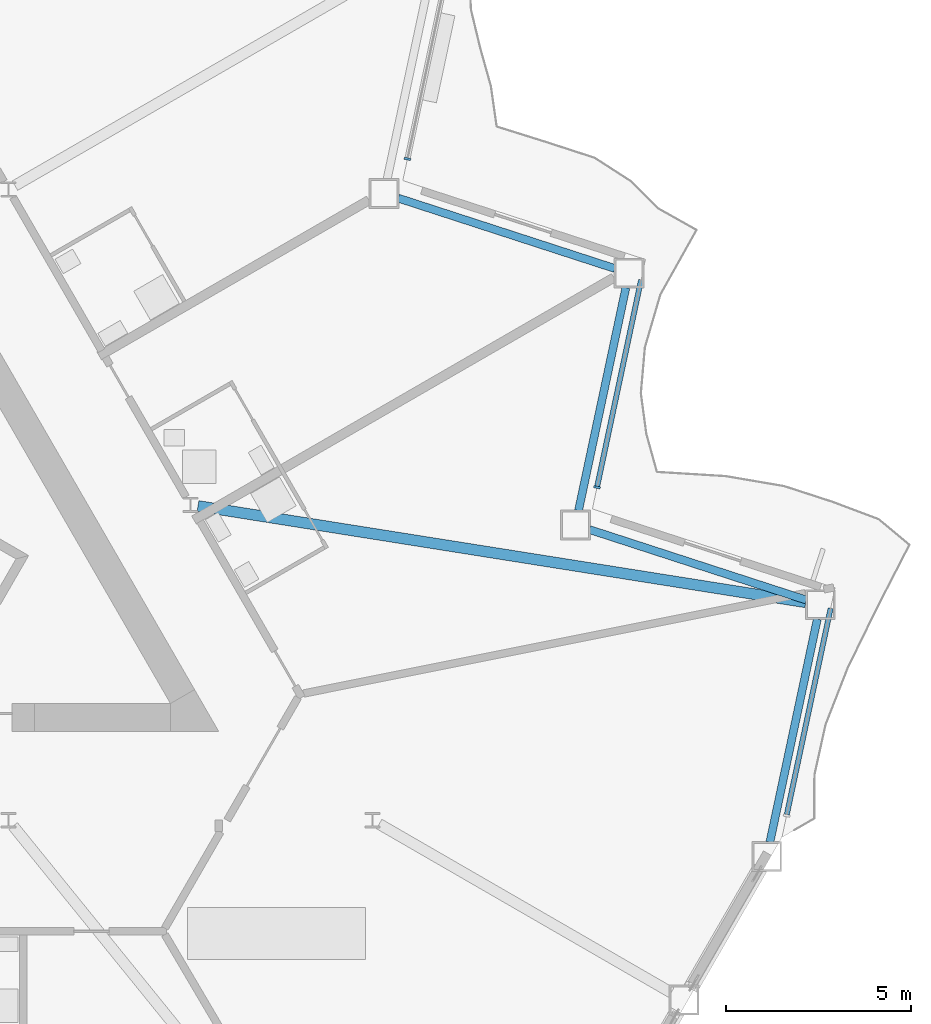
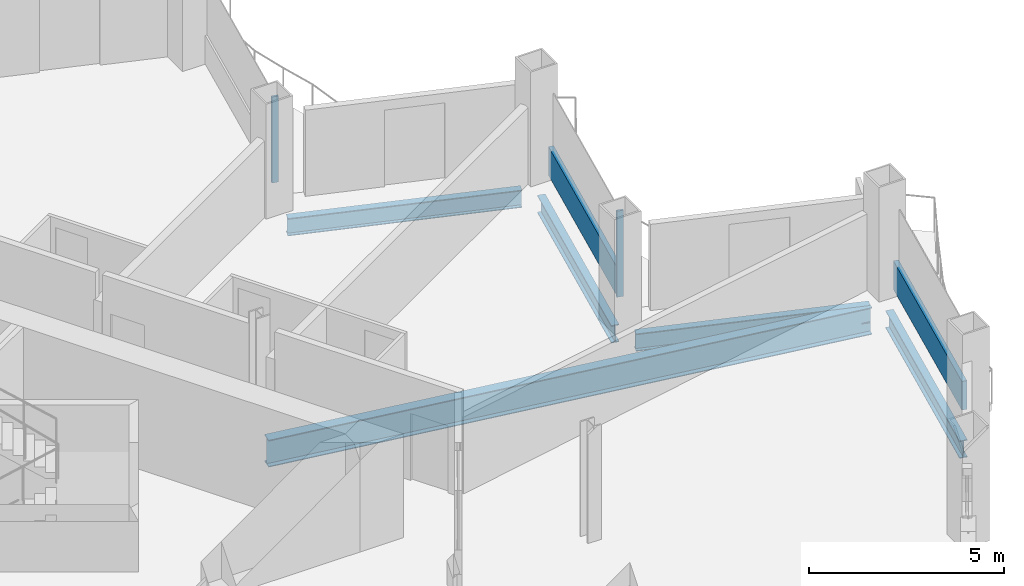
# One storey, part 6 of 23: 5 beams, 4 members, 3 elements without a shape of their own.
"""IFC4 building model written with IfcOpenShell, lengths in metres."""

from ifc_helpers import new_model, si_unit, direction, frame, origin, origin_2d, place, context, subcontext, project, spatial, rectangle, i_section, extrude, material, layer, layer_set, material_profile, profile_set, type_object, element, aggregate, save


model = new_model("IFC4")

# Units and contexts
model_context = context("Model", 3, precision=1e-05, world=origin(), true_north=direction((0.0, 1.0)))
body_context = subcontext(model_context, "Body", "Model", "MODEL_VIEW")
ifc_project = project(units=[si_unit("LENGTHUNIT", "METRE"), si_unit("AREAUNIT", "SQUARE_METRE"), si_unit("VOLUMEUNIT", "CUBIC_METRE"), si_unit("PLANEANGLEUNIT", "RADIAN"), si_unit("MASSUNIT", "GRAM", prefix="KILO")], contexts=[model_context])

# Site, building, storey
site_placement = place(None, origin())
site = spatial("IfcSite", under=ifc_project, at=site_placement, CompositionType="ELEMENT")
building_placement = place(site_placement, origin())
building = spatial("IfcBuilding", under=site, at=building_placement, Name="Cormorant Prow Tower", CompositionType="ELEMENT")
storey_placement = place(building_placement, frame((0.0, 0.0, 172.800048828125)))
storey = spatial("IfcBuildingStorey", under=building, at=storey_placement, Name="L36", CompositionType="ELEMENT", Elevation=172.800048828125)

# Curtain wall, member
ifc_material_1 = material(Name="Aluminium 6063-T6", Category="aluminium")
ifc_layer = layer(ifc_material_1, 0.179931640625)
ifc_layer_set = layer_set([ifc_layer], Name="Aluminium 6063-T6")
curtain_wall_type = type_object("IfcCurtainWallType", Name="Hotel unitised curtain wall 180", PredefinedType="NOTDEFINED", material=ifc_layer_set)
curtain_wall_1_placement = place(storey_placement, origin())
curtain_wall_1 = element("IfcCurtainWall", 1, at=curtain_wall_1_placement, inside=storey, type_object=curtain_wall_type, Name="Hotel curtain wall ENE02", PredefinedType="NOTDEFINED")
ifc_material_2 = material(Name="Aluminium 6063-T6", Category="aluminium")
ifc_material_profile_1 = material_profile(ifc_material_2, rectangle(XDim=0.179931640625, YDim=0.06005859375, at=origin_2d()), Name="Hotel mullion 60x180")
ifc_profile_set_1 = profile_set([ifc_material_profile_1], Name="Aluminium 6063-T6")
member_type_1 = type_object("IfcMemberType", Name="Hotel mullion 60x180", PredefinedType="MULLION", material=ifc_profile_set_1)
member_1_placement = place(storey_placement, frame((25.711181640625, -2.36376953125, 0.0), z_axis=(0.0, 0.0, 1.0), x_axis=(-0.97814762227, 0.207911589496, 0.0)))
member_1 = element("IfcMember", 2, at=member_1_placement, type_object=member_type_1, Name="Hotel mullion ENE02", PredefinedType="MULLION", context=body_context, shape_type="SweptSolid", body=[
    extrude(rectangle(XDim=0.179931640625, YDim=0.06005859375, at=origin_2d()), origin(), (0.0, 0.0, 1.0), 2.700927734375),
])

curtain_wall_2_placement = place(storey_placement, origin())
curtain_wall_2 = element("IfcCurtainWall", 3, at=curtain_wall_2_placement, inside=storey, type_object=curtain_wall_type, Name="Hotel curtain wall ENE04", PredefinedType="NOTDEFINED")
member_2_placement = place(storey_placement, frame((20.595458984375, 6.496826171875, 0.0), z_axis=(0.0, 0.0, 1.0), x_axis=(-0.97814759901, 0.207911698927, 0.0)))
member_2 = element("IfcMember", 4, at=member_2_placement, type_object=member_type_1, Name="Hotel mullion ENE04", PredefinedType="MULLION", context=body_context, shape_type="SweptSolid", body=[
    extrude(rectangle(XDim=0.179931640625, YDim=0.06005859375, at=origin_2d()), origin(), (0.0, 0.0, 1.0), 2.700927734375),
])
aggregate(curtain_wall_2, [member_2])

curtain_wall_3_placement = place(storey_placement, origin())
curtain_wall_3 = element("IfcCurtainWall", 5, at=curtain_wall_3_placement, inside=storey, type_object=curtain_wall_type, Name="Hotel curtain wall ENE00", PredefinedType="NOTDEFINED")
ifc_material_3 = material(Name="Terracotta", Category="masonry")
ifc_material_profile_2 = material_profile(ifc_material_3, rectangle(XDim=0.139892578125, YDim=0.89990234375, at=origin_2d()), Name="Hotel terracotta spandrel rail 140x900")
ifc_profile_set_2 = profile_set([ifc_material_profile_2], Name="Terracotta")
member_type_2 = type_object("IfcMemberType", Name="Hotel terracotta spandrel rail 140x900", PredefinedType="USERDEFINED", material=ifc_profile_set_2)
member_3_placement = place(storey_placement, frame((30.8330078125, -11.195068359375, 0.449951171875), z_axis=(0.207922412597, 0.978145321688, 0.0), x_axis=(-0.978145321688, 0.207922412597, 0.0)))
member_3 = element("IfcMember", 6, at=member_3_placement, type_object=member_type_2, Name="Hotel spandrel rail ENE00", ObjectType="TRANSOM", PredefinedType="USERDEFINED", context=body_context, shape_type="SweptSolid", body=[
    extrude(rectangle(XDim=0.139892578125, YDim=0.89990234375, at=origin_2d()), origin(), (0.0, 0.0, 1.0), 5.687744140625),
])
aggregate(curtain_wall_3, [member_3])

# Member
member_4_placement = place(storey_placement, frame((25.71728515625, -2.33447265625, 0.449951171875), z_axis=(0.207922412597, 0.978145321688, 0.0), x_axis=(-0.978145321688, 0.207922412597, 0.0)))
member_4 = element("IfcMember", 7, at=member_4_placement, type_object=member_type_2, Name="Hotel spandrel rail ENE02", ObjectType="TRANSOM", PredefinedType="USERDEFINED", context=body_context, shape_type="SweptSolid", body=[
    extrude(rectangle(XDim=0.139892578125, YDim=0.89990234375, at=origin_2d()), origin(), (0.0, 0.0, 1.0), 5.687744140625),
])

aggregate(curtain_wall_1, [member_1, member_4])

# Beams
ifc_material_4 = material(Name="Structural steel ASTM A992 Gr 50", Category="steel")
ifc_material_profile_3 = material_profile(ifc_material_4, i_section(OverallWidth=0.29296875, OverallDepth=0.845703125, WebThickness=0.015380859375, FlangeThickness=0.0244140625, at=origin_2d()), Name="W33x141")
ifc_profile_set_3 = profile_set([ifc_material_profile_3], Name="Structural steel ASTM A992 Gr 50")
beam_type_1 = type_object("IfcBeamType", Name="Radial floor beam W33x141", PredefinedType="BEAM", material=ifc_profile_set_3)
beam_1_placement = place(storey_placement, frame((14.94384765625, -2.869140625, -0.77294921875), z_axis=(0.987678058302, -0.156499371084, 0.0), x_axis=(0.156499371084, 0.987678058302, 0.0)))
element("IfcBeam", 8, at=beam_1_placement, inside=storey, type_object=beam_type_1, Name="Radial floor beam FB2 10 L36", PredefinedType="BEAM", context=body_context, shape_type="SweptSolid", body=[
    extrude(i_section(OverallWidth=0.29296875, OverallDepth=0.845703125, WebThickness=0.015380859375, FlangeThickness=0.0244140625, at=origin_2d()), origin(), (0.0, 0.0, 1.0), 16.604736328125),
])
ifc_material_5 = material(Name="Structural steel ASTM A992 Gr 50", Category="steel")
ifc_material_profile_4 = material_profile(ifc_material_5, i_section(OverallWidth=0.2138671875, OverallDepth=0.549072265625, WebThickness=0.0146484375, FlangeThickness=0.023681640625, at=origin_2d()), Name="W21x93")
ifc_profile_set_4 = profile_set([ifc_material_profile_4], Name="Structural steel ASTM A992 Gr 50")
beam_type_2 = type_object("IfcBeamType", Name="Spandrel beam W21x93", PredefinedType="SPANDREL", material=ifc_profile_set_4)
beam_2_placement = place(storey_placement, frame((30.377197265625, -11.93701171875, -0.62451171875), z_axis=(0.207904811195, 0.978149063018, 0.0), x_axis=(-0.978149063018, 0.207904811195, 0.0)))
element("IfcBeam", 9, at=beam_2_placement, inside=storey, type_object=beam_type_2, Name="Spandrel beam SB2 ENE00-ENE01 L36", PredefinedType="SPANDREL", context=body_context, shape_type="SweptSolid", body=[
    extrude(i_section(OverallWidth=0.2138671875, OverallDepth=0.549072265625, WebThickness=0.0146484375, FlangeThickness=0.023681640625, at=origin_2d()), origin(), (0.0, 0.0, 1.0), 6.149658203125),
])
beam_3_placement = place(storey_placement, frame((31.358642578125, -5.40673828125, -0.62451171875), z_axis=(-0.951057696564, 0.309013361859, 0.0), x_axis=(-0.309013361859, -0.951057696564, 0.0)))
element("IfcBeam", 10, at=beam_3_placement, inside=storey, type_object=beam_type_2, Name="Spandrel beam SB2 ENE01-ENE02 L36", PredefinedType="SPANDREL", context=body_context, shape_type="SweptSolid", body=[
    extrude(i_section(OverallWidth=0.2138671875, OverallDepth=0.549072265625, WebThickness=0.0146484375, FlangeThickness=0.023681640625, at=origin_2d()), origin(), (0.0, 0.0, 1.0), 6.14990234375),
])
beam_4_placement = place(storey_placement, frame((25.21240234375, -2.991455078125, -0.62451171875), z_axis=(0.207904811195, 0.978149063018, 0.0), x_axis=(-0.978149063018, 0.207904811195, 0.0)))
element("IfcBeam", 11, at=beam_4_placement, inside=storey, type_object=beam_type_2, Name="Spandrel beam SB2 ENE02-ENE03 L36", PredefinedType="SPANDREL", context=body_context, shape_type="SweptSolid", body=[
    extrude(i_section(OverallWidth=0.2138671875, OverallDepth=0.549072265625, WebThickness=0.0146484375, FlangeThickness=0.023681640625, at=origin_2d()), origin(), (0.0, 0.0, 1.0), 6.149658203125),
])
beam_5_placement = place(storey_placement, frame((26.19384765625, 3.538818359375, -0.62451171875), z_axis=(-0.951057696564, 0.309013361859, 0.0), x_axis=(-0.309013361859, -0.951057696564, 0.0)))
element("IfcBeam", 12, at=beam_5_placement, inside=storey, type_object=beam_type_2, Name="Spandrel beam SB2 ENE03-ENE04 L36", PredefinedType="SPANDREL", context=body_context, shape_type="SweptSolid", body=[
    extrude(i_section(OverallWidth=0.2138671875, OverallDepth=0.549072265625, WebThickness=0.0146484375, FlangeThickness=0.023681640625, at=origin_2d()), origin(), (0.0, 0.0, 1.0), 6.14990234375),
])

save(model, "model.ifc")
